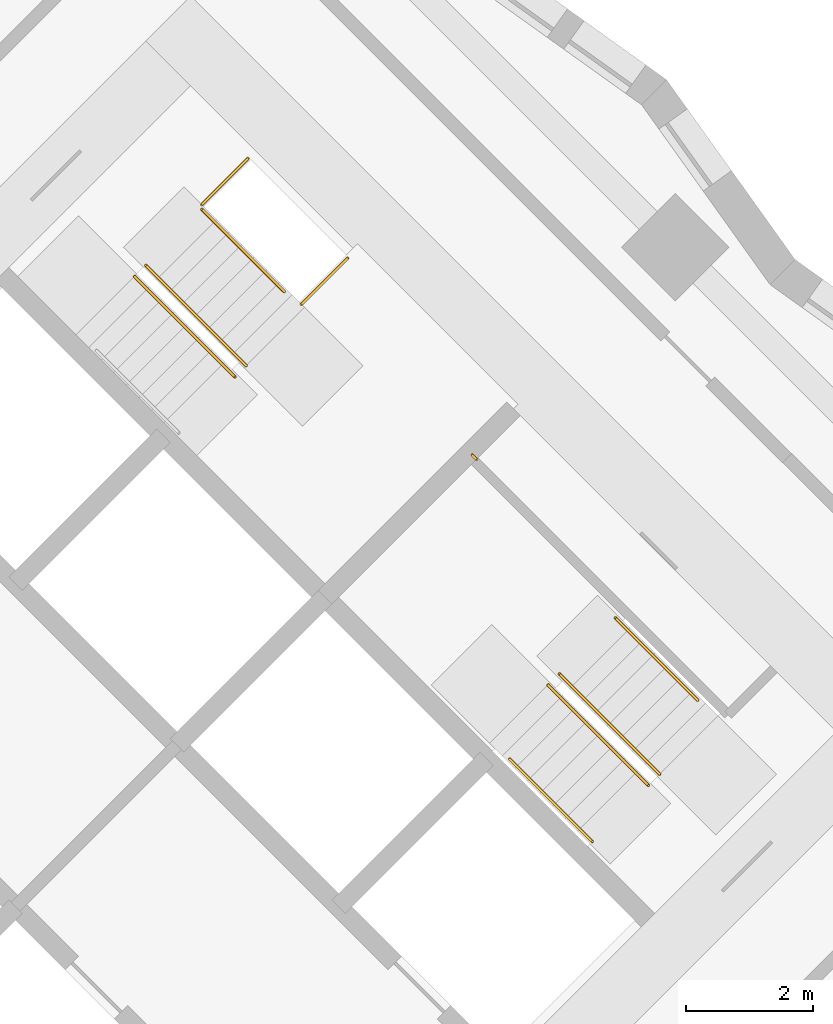
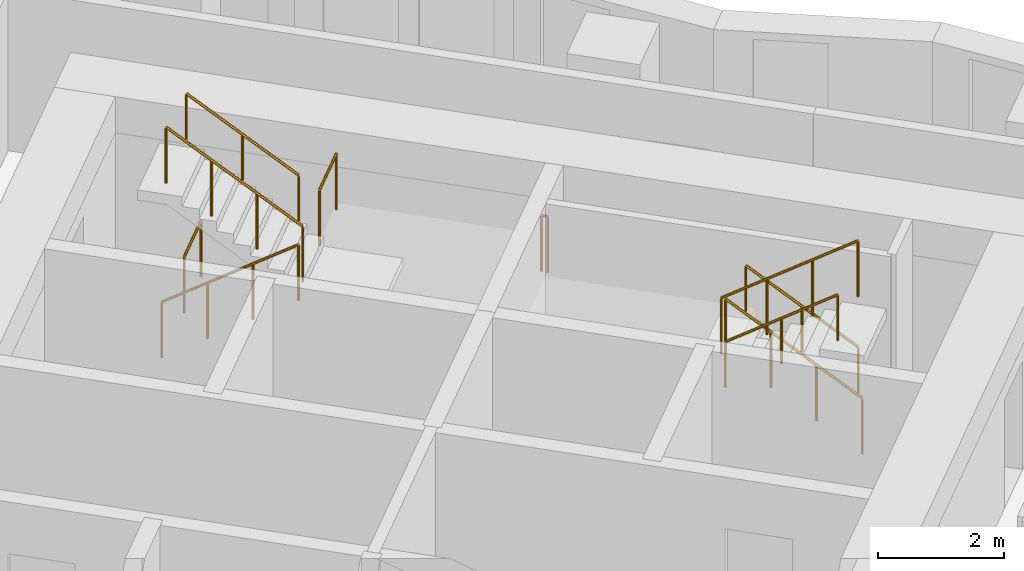
# One storey, part 12 of 12: 10 railings.
"""IFC4 building model written with IfcOpenShell, lengths in metres."""

from ifc_helpers import new_model, si_unit, direction, frame, origin, origin_2d, place, context, subcontext, project, spatial, circle, extrude, material, type_object, element, save


model = new_model("IFC4")

# Units and contexts
model_context = context("Model", 3, precision=1e-05, world=origin(), true_north=direction((0.0, 1.0)))
body_context = subcontext(model_context, "Body", "Model", "MODEL_VIEW")
ifc_project = project(units=[si_unit("LENGTHUNIT", "METRE"), si_unit("AREAUNIT", "SQUARE_METRE"), si_unit("VOLUMEUNIT", "CUBIC_METRE"), si_unit("PLANEANGLEUNIT", "RADIAN"), si_unit("MASSUNIT", "GRAM", prefix="KILO")], contexts=[model_context])

# Site, building, storey
site_placement = place(None, origin())
site = spatial("IfcSite", under=ifc_project, at=site_placement, CompositionType="ELEMENT")
building_placement = place(site_placement, origin())
building = spatial("IfcBuilding", under=site, at=building_placement, Name="Windrow Commons", CompositionType="ELEMENT")
storey_placement = place(building_placement, frame((0.0, 0.0, 57.6)))
storey = spatial("IfcBuildingStorey", under=building, at=storey_placement, Name="L15", CompositionType="ELEMENT", Elevation=57.6)

# Railings
ifc_material_1 = material(Name="Steel S355", Category="steel")
railing_type_1 = type_object("IfcRailingType", Name="Core stair guard 1100", PredefinedType="GUARDRAIL", material=ifc_material_1)
railing_1_placement = place(storey_placement, frame((85.9529, 56.2669, 0.1889)))
element("IfcRailing", 1, at=railing_1_placement, inside=storey, type_object=railing_type_1, Name="L15 ST-B1 stair guard 1", PredefinedType="GUARDRAIL", context=body_context, shape_type="SweptSolid", body=[
    extrude(circle(Radius=0.024, at=origin_2d()), frame((0.0, 0.0, 1.076), z_axis=(0.5861914914, -0.5861914914, 0.5592486664), x_axis=(0.7071067812, 0.7071067812, 0.0)), (0.0, 0.0, 1.0), 2.702),
    extrude(circle(Radius=0.021, at=origin_2d()), origin(), (0.0, 0.0, 1.0), 1.052),
    extrude(circle(Radius=0.021, at=origin_2d()), frame((0.528, -0.528, 0.5037)), (0.0, 0.0, 1.0), 1.052),
    extrude(circle(Radius=0.021, at=origin_2d()), frame((1.0559, -1.0559, 1.0074)), (0.0, 0.0, 1.0), 1.052),
    extrude(circle(Radius=0.021, at=origin_2d()), frame((1.5839, -1.5839, 1.5111)), (0.0, 0.0, 1.0), 1.052),
])
railing_2_placement = place(storey_placement, frame((87.7136, 54.8597, 1.8889)))
element("IfcRailing", 2, at=railing_2_placement, inside=storey, type_object=railing_type_1, Name="L15 ST-B1 stair guard 2", PredefinedType="GUARDRAIL", context=body_context, shape_type="SweptSolid", body=[
    extrude(circle(Radius=0.024, at=origin_2d()), frame((0.0, 0.0, 1.076), z_axis=(-0.5862030657, 0.5862030657, 0.5592244018), x_axis=(-0.7071067812, -0.7071067812, 0.0)), (0.0, 0.0, 1.0), 2.7021),
    extrude(circle(Radius=0.021, at=origin_2d()), origin(), (0.0, 0.0, 1.0), 1.052),
    extrude(circle(Radius=0.021, at=origin_2d()), frame((-0.528, 0.528, 0.5037)), (0.0, 0.0, 1.0), 1.052),
    extrude(circle(Radius=0.021, at=origin_2d()), frame((-1.056, 1.056, 1.0074)), (0.0, 0.0, 1.0), 1.052),
    extrude(circle(Radius=0.021, at=origin_2d()), frame((-1.584, 1.584, 1.5111)), (0.0, 0.0, 1.0), 1.052),
])
railing_3_placement = place(storey_placement, frame((87.0135, 57.3982, 0.0)))
element("IfcRailing", 3, at=railing_3_placement, inside=storey, type_object=railing_type_1, Name="L15 ST-B1 stair guard 3", PredefinedType="GUARDRAIL", context=body_context, shape_type="SweptSolid", body=[
    extrude(circle(Radius=0.024, at=origin_2d()), frame((0.0, 0.0, 1.076), z_axis=(0.7070582378, 0.7071553212, 0.0), x_axis=(-0.7071553212, 0.7070582378, 0.0)), (0.0, 0.0, 1.0), 1.03),
    extrude(circle(Radius=0.021, at=origin_2d()), origin(), (0.0, 0.0, 1.0), 1.052),
    extrude(circle(Radius=0.021, at=origin_2d()), frame((0.7283, 0.7284, 0.0)), (0.0, 0.0, 1.0), 1.052),
])
railing_4_placement = place(storey_placement, frame((88.5833, 55.8285, 1.7)))
element("IfcRailing", 4, at=railing_4_placement, inside=storey, type_object=railing_type_1, Name="L15 ST-B1 stair guard 4", PredefinedType="GUARDRAIL", context=body_context, shape_type="SweptSolid", body=[
    extrude(circle(Radius=0.024, at=origin_2d()), frame((0.0, 0.0, 1.076), z_axis=(0.7071067812, 0.7071067812, 0.0), x_axis=(-0.7071067812, 0.7071067812, 0.0)), (0.0, 0.0, 1.0), 1.03),
    extrude(circle(Radius=0.021, at=origin_2d()), origin(), (0.0, 0.0, 1.0), 1.052),
    extrude(circle(Radius=0.021, at=origin_2d()), frame((0.7283, 0.7283, 0.0)), (0.0, 0.0, 1.0), 1.052),
])
railing_5_placement = place(storey_placement, frame((94.2296, 48.4215, 0.1889)))
element("IfcRailing", 5, at=railing_5_placement, inside=storey, type_object=railing_type_1, Name="L15 ST-B2 stair guard 1", PredefinedType="GUARDRAIL", context=body_context, shape_type="SweptSolid", body=[
    extrude(circle(Radius=0.024, at=origin_2d()), frame((0.0, 0.0, 1.076), z_axis=(-0.5862157828, 0.5861787742, 0.5592365337), x_axis=(-0.7070844598, -0.7071291018, 0.0)), (0.0, 0.0, 1.0), 2.7021),
    extrude(circle(Radius=0.021, at=origin_2d()), origin(), (0.0, 0.0, 1.0), 1.052),
    extrude(circle(Radius=0.021, at=origin_2d()), frame((-0.528, 0.528, 0.5037)), (0.0, 0.0, 1.0), 1.052),
    extrude(circle(Radius=0.021, at=origin_2d()), frame((-1.056, 1.0559, 1.0074)), (0.0, 0.0, 1.0), 1.052),
    extrude(circle(Radius=0.021, at=origin_2d()), frame((-1.584, 1.5839, 1.5111)), (0.0, 0.0, 1.0), 1.052),
])
railing_6_placement = place(storey_placement, frame((92.4689, 49.8287, 1.8889)))
element("IfcRailing", 6, at=railing_6_placement, inside=storey, type_object=railing_type_1, Name="L15 ST-B2 stair guard 2", PredefinedType="GUARDRAIL", context=body_context, shape_type="SweptSolid", body=[
    extrude(circle(Radius=0.024, at=origin_2d()), frame((0.0, 0.0, 1.076), z_axis=(0.5861787742, -0.5862157828, 0.5592365337), x_axis=(0.7071291018, 0.7070844598, 0.0)), (0.0, 0.0, 1.0), 2.7021),
    extrude(circle(Radius=0.021, at=origin_2d()), origin(), (0.0, 0.0, 1.0), 1.052),
    extrude(circle(Radius=0.021, at=origin_2d()), frame((0.528, -0.528, 0.5037)), (0.0, 0.0, 1.0), 1.052),
    extrude(circle(Radius=0.021, at=origin_2d()), frame((1.0559, -1.056, 1.0074)), (0.0, 0.0, 1.0), 1.052),
    extrude(circle(Radius=0.021, at=origin_2d()), frame((1.5839, -1.584, 1.5111)), (0.0, 0.0, 1.0), 1.052),
])
railing_7_placement = place(storey_placement, frame((91.3446, 53.3854, 1.7)))
element("IfcRailing", 7, at=railing_7_placement, inside=storey, type_object=railing_type_1, Name="L15 ST-B2 stair guard 3", PredefinedType="GUARDRAIL", context=body_context, shape_type="SweptSolid", body=[
    extrude(circle(Radius=0.024, at=origin_2d()), frame((0.0, 0.0, 1.076), z_axis=(-0.7076063266, 0.7066068826, 0.0), x_axis=(-0.7066068826, -0.7076063266, 0.0)), (0.0, 0.0, 1.0), 0.1001),
    extrude(circle(Radius=0.021, at=origin_2d()), origin(), (0.0, 0.0, 1.0), 1.052),
    extrude(circle(Radius=0.021, at=origin_2d()), frame((-0.0708, 0.0707, 0.0)), (0.0, 0.0, 1.0), 1.052),
])
ifc_material_2 = material(Name="Steel S355", Category="steel")
railing_type_2 = type_object("IfcRailingType", Name="Core stair handrail 900", PredefinedType="HANDRAIL", material=ifc_material_2)
railing_8_placement = place(storey_placement, frame((88.3146, 56.0265, 2.1587)))
element("IfcRailing", 8, at=railing_8_placement, inside=storey, type_object=railing_type_2, Name="L15 ST-B1 stair handrail 2", PredefinedType="HANDRAIL", context=body_context, shape_type="SweptSolid", body=[
    extrude(circle(Radius=0.024, at=origin_2d()), frame((0.0, 0.0, 0.876), z_axis=(-0.586206706, 0.5861616513, 0.5592639952), x_axis=(-0.7070796062, -0.7071339551, 0.0)), (0.0, 0.0, 1.0), 2.2195),
    extrude(circle(Radius=0.021, at=origin_2d()), origin(), (0.0, 0.0, 1.0), 0.852),
    extrude(circle(Radius=0.021, at=origin_2d()), frame((-0.6506, 0.6505, 0.6207)), (0.0, 0.0, 1.0), 0.852),
    extrude(circle(Radius=0.021, at=origin_2d()), frame((-1.3011, 1.301, 1.2413)), (0.0, 0.0, 1.0), 0.852),
])
railing_9_placement = place(storey_placement, frame((94.8306, 49.5883, 0.4587)))
element("IfcRailing", 9, at=railing_9_placement, inside=storey, type_object=railing_type_2, Name="L15 ST-B2 stair handrail 1", PredefinedType="HANDRAIL", context=body_context, shape_type="SweptSolid", body=[
    extrude(circle(Radius=0.024, at=origin_2d()), frame((0.0, 0.0, 0.876), z_axis=(-0.586206706, 0.5861616513, 0.5592639952), x_axis=(-0.7070796062, -0.7071339551, 0.0)), (0.0, 0.0, 1.0), 2.2195),
    extrude(circle(Radius=0.021, at=origin_2d()), origin(), (0.0, 0.0, 1.0), 0.852),
    extrude(circle(Radius=0.021, at=origin_2d()), frame((-0.6506, 0.6505, 0.6206)), (0.0, 0.0, 1.0), 0.852),
    extrude(circle(Radius=0.021, at=origin_2d()), frame((-1.3011, 1.301, 1.2413)), (0.0, 0.0, 1.0), 0.852),
])
railing_10_placement = place(storey_placement, frame((91.8678, 48.6619, 2.1587)))
element("IfcRailing", 10, at=railing_10_placement, inside=storey, type_object=railing_type_2, Name="L15 ST-B2 stair handrail 2", PredefinedType="HANDRAIL", context=body_context, shape_type="SweptSolid", body=[
    extrude(circle(Radius=0.024, at=origin_2d()), frame((0.0, 0.0, 0.876), z_axis=(0.586206706, -0.5861616513, 0.5592639952), x_axis=(0.7070796062, 0.7071339551, 0.0)), (0.0, 0.0, 1.0), 2.2195),
    extrude(circle(Radius=0.021, at=origin_2d()), origin(), (0.0, 0.0, 1.0), 0.852),
    extrude(circle(Radius=0.021, at=origin_2d()), frame((0.6505, -0.6505, 0.6207)), (0.0, 0.0, 1.0), 0.852),
    extrude(circle(Radius=0.021, at=origin_2d()), frame((1.3011, -1.301, 1.2413)), (0.0, 0.0, 1.0), 0.852),
])

save(model, "model.ifc")
